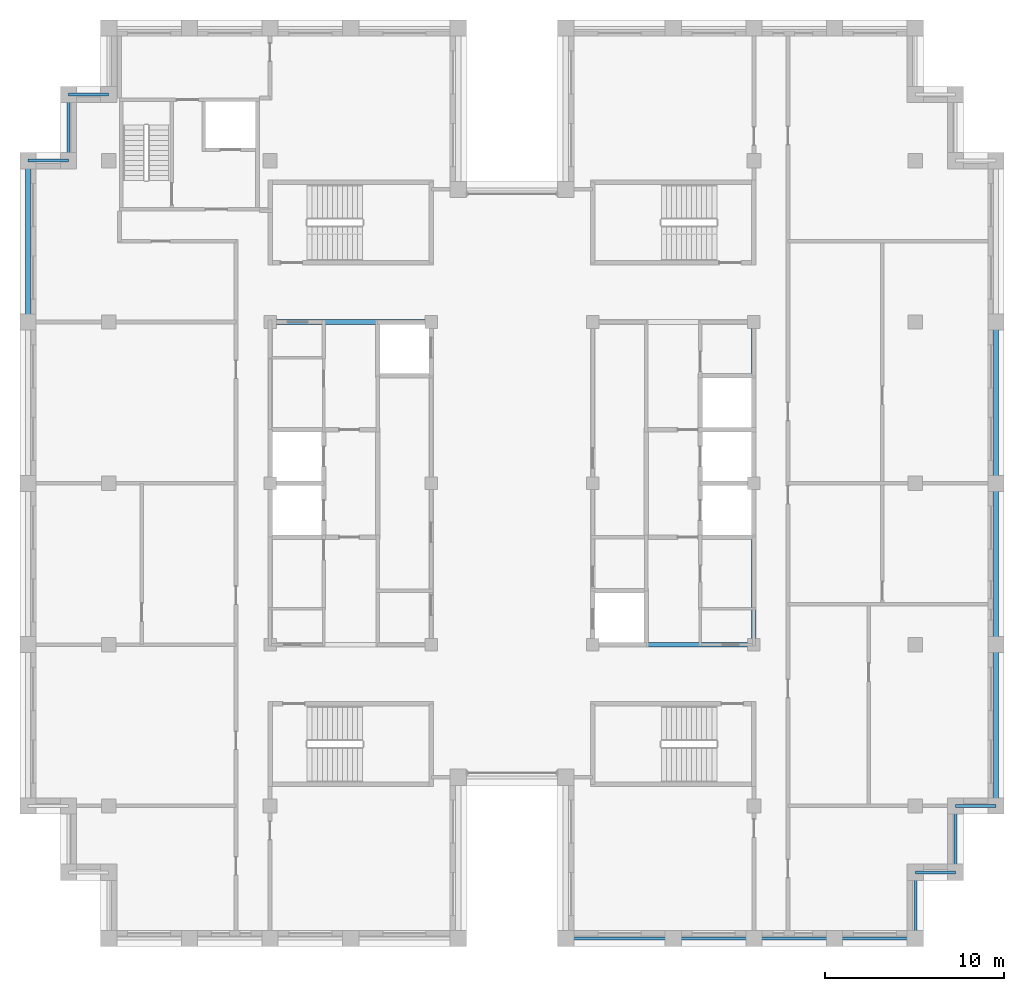
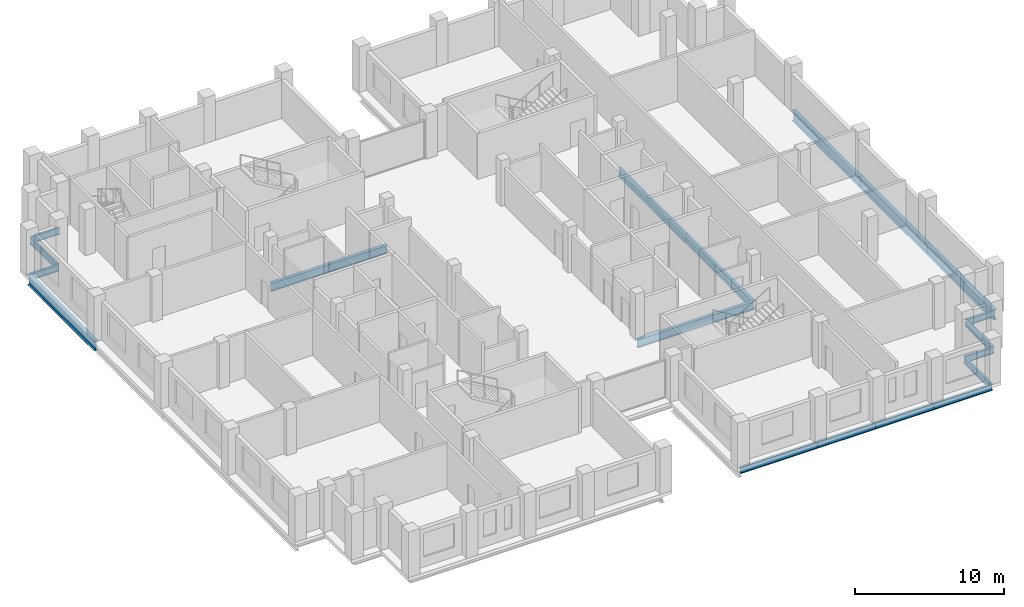
# One storey, part 3 of 13: 19 beams.
"""IFC4 building model written with IfcOpenShell, lengths in metres."""

import ifcopenshell
import ifcopenshell.guid

model = None  # the IFC model being written
_history = None  # IfcOwnerHistory: only IFC2X3 demands one
_inside = {}  # id of a spatial element -> (the spatial element, [elements in it])
_under = {}  # id of a project, library or spatial element -> (it, [spatial elements below it])
_declared = {}  # id of a project -> (the project, [libraries it declares])
_typed = {}  # id of a type object -> (the type object, [elements of that type])
_made_of = {}  # id of a material, layer set ... -> (it, [elements and type objects made of it])


def new_model(schema):
    """Start an empty IFC model of exactly this schema.

    Asked for "IFC4X3", IfcOpenShell would pick the latest addendum, in which some entities
    have other attributes; the version numbers below select the first issue.
    IFC2X3 requires an IfcOwnerHistory on every rooted entity: one is made here for all.
    """
    global model, _history
    if schema == "IFC4X3":
        model = ifcopenshell.file(schema_version=(4, 3, 0, 0))
    else:
        model = ifcopenshell.file(schema=schema)
    _inside.clear()
    _under.clear()
    _declared.clear()
    _typed.clear()
    _made_of.clear()
    _history = None
    if model.schema == "IFC2X3":
        org = make("IfcOrganization", Name="unknown")
        user = make(
            "IfcPersonAndOrganization",
            ThePerson=make("IfcPerson", FamilyName="unknown"),
            TheOrganization=org,
        )
        app = make(
            "IfcApplication",
            ApplicationDeveloper=org,
            Version="unknown",
            ApplicationFullName="unknown",
            ApplicationIdentifier="unknown",
        )
        _history = make(
            "IfcOwnerHistory",
            OwningUser=user,
            OwningApplication=app,
            ChangeAction="ADDED",
            CreationDate=0,
        )
    return model


def make(cls, **values):
    """One entity of the class cls with the attributes given. An attribute that is None is left unset."""
    return model.create_entity(
        cls, **{name: value for name, value in values.items() if value is not None}
    )


def rooted(cls, **values):
    """An entity with a GlobalId (a new one), such as an element, a storey or a relation."""
    return make(cls, GlobalId=ifcopenshell.guid.new(), OwnerHistory=_history, **values)


def si_unit(unit_type, name, prefix=None):
    """IfcSIUnit, for example si_unit("LENGTHUNIT", "METRE", prefix="MILLI")."""
    return make("IfcSIUnit", UnitType=unit_type, Prefix=prefix, Name=name)


def assignment(units):
    """IfcUnitAssignment: the units of a project."""
    return None if units is None else make("IfcUnitAssignment", Units=units)


def point(xyz):
    """IfcCartesianPoint."""
    return None if xyz is None else make("IfcCartesianPoint", Coordinates=xyz)


def direction(xyz):
    """IfcDirection."""
    return None if xyz is None else make("IfcDirection", DirectionRatios=xyz)


def frame(location, z_axis=None, x_axis=None):
    """IfcAxis2Placement3D, a coordinate frame: its origin and axes. An axis left out is left unset."""
    return make(
        "IfcAxis2Placement3D",
        Location=point(location),
        Axis=direction(z_axis),
        RefDirection=direction(x_axis),
    )


def frame_2d(location, x_axis=None):
    """IfcAxis2Placement2D, a coordinate frame in the plane: its origin and x axis."""
    return make(
        "IfcAxis2Placement2D", Location=point(location), RefDirection=direction(x_axis)
    )


def origin():
    """The frame at (0, 0, 0) with its axes left unset."""
    return frame((0.0, 0.0, 0.0))


def origin_2d():
    """The frame at (0, 0) in the plane with its x axis left unset."""
    return frame_2d((0.0, 0.0))


def place(relative_to, where):
    """IfcLocalPlacement: puts the frame where relative to a parent placement (None: the world)."""
    return make(
        "IfcLocalPlacement", PlacementRelTo=relative_to, RelativePlacement=where
    )


def context(
    kind, dimensions, precision=None, world=None, true_north=None, identifier=None
):
    """IfcGeometricRepresentationContext, for example the 3D "Model" context."""
    return make(
        "IfcGeometricRepresentationContext",
        ContextIdentifier=identifier,
        ContextType=kind,
        CoordinateSpaceDimension=dimensions,
        Precision=precision,
        WorldCoordinateSystem=world,
        TrueNorth=true_north,
    )


def subcontext(parent, identifier, kind, view, scale=None):
    """IfcGeometricRepresentationSubContext, for example "Body" below "Model"."""
    return make(
        "IfcGeometricRepresentationSubContext",
        ContextIdentifier=identifier,
        ContextType=kind,
        ParentContext=parent,
        TargetScale=scale,
        TargetView=view,
    )


def project(units=None, contexts=None):
    """IfcProject with its units and contexts."""
    return rooted(
        "IfcProject",
        Name="project",
        RepresentationContexts=contexts,
        UnitsInContext=assignment(units),
    )


def spatial(cls, under=None, at=None, **own):
    """A site, building, storey or space (cls), placed at a placement, below another one or the project."""
    s = rooted(cls, ObjectPlacement=at, **own)
    if under is not None:
        _under.setdefault(under.id(), (under, []))[1].append(s)
    return s


def profile(cls, at=None, kind="AREA", **sizes):
    """A parametric profile (cls). Its sizes go by their IFC names, for example OverallWidth=200.0."""
    return make(cls, ProfileType=kind, Position=at, **sizes)


def i_section(**sizes):
    """IfcIShapeProfileDef."""
    return profile("IfcIShapeProfileDef", **sizes)


def extrude(swept, where, along, depth):
    """IfcExtrudedAreaSolid: the profile swept, set in the frame where, extruded along a direction by depth."""
    return make(
        "IfcExtrudedAreaSolid",
        SweptArea=swept,
        Position=where,
        ExtrudedDirection=direction(along),
        Depth=depth,
    )


def shape(context_of_items, identifier, shape_type, items):
    """IfcShapeRepresentation: the items that make up one representation, for example the "Body"."""
    return make(
        "IfcShapeRepresentation",
        ContextOfItems=context_of_items,
        RepresentationIdentifier=identifier,
        RepresentationType=shape_type,
        Items=items,
    )


def material(Name=None, Category=None):
    """IfcMaterial."""
    return make("IfcMaterial", Name=Name, Category=Category)


def material_profile(
    of_material, cross_section, Name=None, Category=None, Priority=None
):
    """IfcMaterialProfile: a cross section and its material."""
    return make(
        "IfcMaterialProfile",
        Name=Name,
        Material=of_material,
        Profile=cross_section,
        Priority=Priority,
        Category=Category,
    )


def profile_set(profiles, Name=None, composite=None):
    """IfcMaterialProfileSet."""
    return make(
        "IfcMaterialProfileSet",
        Name=Name,
        MaterialProfiles=profiles,
        CompositeProfile=composite,
    )


def made_of(thing, what):
    """Note that an element or type object is made of a material, layer set ...; save() writes the relation."""
    if what is not None:
        _made_of.setdefault(what.id(), (what, []))[1].append(thing)
    return thing


def type_object(cls, material=None, **own):
    """A type object (cls), such as IfcWallType, which elements share."""
    return made_of(rooted(cls, **own), material)


def element(
    cls,
    number,
    at=None,
    inside=None,
    cuts=None,
    type_object=None,
    material=None,
    context=None,
    identifier="Body",
    shape_type=None,
    held_by="IfcProductDefinitionShape",
    body=None,
    shapes=None,
    **own,
):
    """One element of the class cls, such as IfcWall. Its Tag is "e" and its number.

    at: its placement. inside: the storey or other place that contains it. cuts: it is an
    opening in that element (IfcRelVoidsElement). A single representation is given by context,
    identifier, shape_type and body (its items); several are given by shapes. held_by: the class
    of the entity that holds the representations. save() writes the other relations.
    """
    e = rooted(cls, Tag="e%d" % number, ObjectPlacement=at, **own)
    if body is not None:
        shapes = [shape(context, identifier, shape_type, body)]
    if shapes is not None:
        e.Representation = make(held_by, Representations=shapes)
    if inside is not None:
        _inside.setdefault(inside.id(), (inside, []))[1].append(e)
    if cuts is not None:
        rooted(
            "IfcRelVoidsElement", RelatingBuildingElement=cuts, RelatedOpeningElement=e
        )
    if type_object is not None:
        _typed.setdefault(type_object.id(), (type_object, []))[1].append(e)
    return made_of(e, material)


def aggregate(whole, parts):
    """IfcRelAggregates: a whole, such as a stair, and the parts it consists of."""
    return rooted("IfcRelAggregates", RelatingObject=whole, RelatedObjects=parts)


def save(model, path):
    """Write the relations noted so far, then the file.

    IfcRelAggregates (storeys below a building ...), IfcRelContainedInSpatialStructure (elements
    in a storey), IfcRelDefinesByType, IfcRelAssociatesMaterial and IfcRelDeclares: one each for
    every whole, place, type object, material and project.
    """
    for whole, parts in _under.values():
        aggregate(whole, parts)
    for where, things in _inside.values():
        rooted(
            "IfcRelContainedInSpatialStructure",
            RelatedElements=things,
            RelatingStructure=where,
        )
    for kind, things in _typed.values():
        rooted("IfcRelDefinesByType", RelatedObjects=things, RelatingType=kind)
    for what, things in _made_of.values():
        rooted("IfcRelAssociatesMaterial", RelatedObjects=things, RelatingMaterial=what)
    for by, libraries in _declared.values():
        rooted("IfcRelDeclares", RelatingContext=by, RelatedDefinitions=libraries)
    model.write(path)


model = new_model("IFC4")

# Units and contexts
model_context = context("Model", 3, precision=1e-05, world=origin(), true_north=direction((0.0, 1.0)))
body_context = subcontext(model_context, "Body", "Model", "MODEL_VIEW")
ifc_project = project(units=[si_unit("LENGTHUNIT", "METRE"), si_unit("AREAUNIT", "SQUARE_METRE"), si_unit("VOLUMEUNIT", "CUBIC_METRE"), si_unit("PLANEANGLEUNIT", "RADIAN"), si_unit("MASSUNIT", "GRAM", prefix="KILO")], contexts=[model_context])

# Site, building, storey
site_placement = place(None, origin())
site = spatial("IfcSite", under=ifc_project, at=site_placement, CompositionType="ELEMENT")
building_placement = place(site_placement, origin())
building = spatial("IfcBuilding", under=site, at=building_placement, Name="Corbelhall Arena Tower", CompositionType="ELEMENT")
storey_placement = place(building_placement, frame((0.0, 0.0, 334.0)))
storey = spatial("IfcBuildingStorey", under=building, at=storey_placement, Name="L73", CompositionType="ELEMENT", Elevation=334.0)

# Beams
ifc_material = material(Name="Steel ASTM A992 Gr50", Category="steel")
ifc_material_profile_1 = material_profile(ifc_material, i_section(OverallWidth=0.25390625, OverallDepth=0.67822265625, WebThickness=0.01171875, FlangeThickness=0.016357421875, at=origin_2d()))
ifc_profile_set_1 = profile_set([ifc_material_profile_1], Name="Steel ASTM A992 Gr50")
beam_type_1 = type_object("IfcBeamType", Name="ST-BEAM-W27x84", PredefinedType="BEAM", material=ifc_profile_set_1)
for number, where, z_axis, x_axis, name in (
    (1, (-13.5, 9.0, -0.59912109375), (1.0, 0.0, 0.0), (0.0, 1.0, 0.0), "Beam CEW 6"),
    (2, (13.5, -9.0, -0.59912109375), (0.0, 1.0, 0.0), (-1.0, 0.0, 0.0), "Beam CEE 9"),
    (3, (13.5, 0.0, -0.59912109375), (0.0, 1.0, 0.0), (-1.0, 0.0, 0.0), "Beam CEE 10"),
    (4, (4.5, -9.0, -0.59912109375), (1.0, 0.0, 0.0), (0.0, 1.0, 0.0), "Beam CEE 11"),
):
    element("IfcBeam", number, at=place(storey_placement, frame(where, z_axis=z_axis, x_axis=x_axis)), inside=storey, type_object=beam_type_1, Name=name, PredefinedType="BEAM", context=body_context, shape_type="SweptSolid", body=[
        extrude(i_section(OverallWidth=0.25390625, OverallDepth=0.67822265625, WebThickness=0.01171875, FlangeThickness=0.016357421875, at=origin_2d()), origin(), (0.0, 0.0, 1.0), 9.0),
    ])
ifc_material_profile_2 = material_profile(ifc_material, i_section(OverallWidth=0.16650390625, OverallDepth=0.535888671875, WebThickness=0.01025390625, FlangeThickness=0.0166015625, at=origin_2d()))
ifc_profile_set_2 = profile_set([ifc_material_profile_2], Name="Steel ASTM A992 Gr50")
beam_type_2 = type_object("IfcBeamType", Name="ST-SPANDREL-W21x57", PredefinedType="SPANDREL", material=ifc_profile_set_2)
beam_1_placement = place(storey_placement, frame((27.0, -18.0, -0.528076171875), z_axis=(-1.0, 0.0, 0.0), x_axis=(0.0, -1.0, 0.0)))
element("IfcBeam", 5, at=beam_1_placement, inside=storey, type_object=beam_type_2, Name="Beam SP 5", PredefinedType="SPANDREL", context=body_context, shape_type="SweptSolid", body=[
    extrude(i_section(OverallWidth=0.16650390625, OverallDepth=0.535888671875, WebThickness=0.01025390625, FlangeThickness=0.0166015625, at=origin_2d()), origin(), (0.0, 0.0, 1.0), 2.25),
])
beam_2_placement = place(storey_placement, frame((9.0, -25.39990234375, -0.528076171875), z_axis=(-1.0, 0.0, 0.0), x_axis=(0.0, -1.0, 0.0)))
element("IfcBeam", 6, at=beam_2_placement, inside=storey, type_object=beam_type_2, Name="Beam SP 17", PredefinedType="SPANDREL", context=body_context, shape_type="SweptSolid", body=[
    extrude(i_section(OverallWidth=0.16650390625, OverallDepth=0.535888671875, WebThickness=0.01025390625, FlangeThickness=0.0166015625, at=origin_2d()), origin(), (0.0, 0.0, 1.0), 6.0),
])
for number, where, z_axis, x_axis, name in (
    (7, (13.5, -25.39990234375, -0.528076171875), (-1.0, 0.0, 0.0), (0.0, -1.0, 0.0), "Beam SP 18"),
    (8, (18.0, -25.39990234375, -0.528076171875), (-1.0, 0.0, 0.0), (0.0, -1.0, 0.0), "Beam SP 19"),
    (9, (22.5, -25.39990234375, -0.528076171875), (-1.0, 0.0, 0.0), (0.0, -1.0, 0.0), "Beam SP 20"),
):
    element("IfcBeam", number, at=place(storey_placement, frame(where, z_axis=z_axis, x_axis=x_axis)), inside=storey, type_object=beam_type_2, Name=name, PredefinedType="SPANDREL", context=body_context, shape_type="SweptSolid", body=[
        extrude(i_section(OverallWidth=0.16650390625, OverallDepth=0.535888671875, WebThickness=0.01025390625, FlangeThickness=0.0166015625, at=origin_2d()), origin(), (0.0, 0.0, 1.0), 4.5),
    ])
for number, where, z_axis, x_axis, name in (
    (10, (-27.0, 18.0, -0.528076171875), (1.0, 0.0, 0.0), (0.0, 1.0, 0.0), "Beam SP 28"),
    (11, (-24.75, 21.699951171875, -0.528076171875), (1.0, 0.0, 0.0), (0.0, 1.0, 0.0), "Beam SP 39"),
):
    element("IfcBeam", number, at=place(storey_placement, frame(where, z_axis=z_axis, x_axis=x_axis)), inside=storey, type_object=beam_type_2, Name=name, PredefinedType="SPANDREL", context=body_context, shape_type="SweptSolid", body=[
        extrude(i_section(OverallWidth=0.16650390625, OverallDepth=0.535888671875, WebThickness=0.01025390625, FlangeThickness=0.0166015625, at=origin_2d()), origin(), (0.0, 0.0, 1.0), 2.25),
    ])
for number, where, z_axis, x_axis, name in (
    (12, (-24.75, 18.0, -0.528076171875), (0.0, 1.0, 0.0), (-1.0, 0.0, 0.0), "Beam SP 40"),
    (13, (22.5, -21.699951171875, -0.528076171875), (0.0, -1.0, 0.0), (1.0, 0.0, 0.0), "Beam SP 41"),
):
    element("IfcBeam", number, at=place(storey_placement, frame(where, z_axis=z_axis, x_axis=x_axis)), inside=storey, type_object=beam_type_2, Name=name, PredefinedType="SPANDREL", context=body_context, shape_type="SweptSolid", body=[
        extrude(i_section(OverallWidth=0.16650390625, OverallDepth=0.535888671875, WebThickness=0.01025390625, FlangeThickness=0.0166015625, at=origin_2d()), origin(), (0.0, 0.0, 1.0), 3.699951171875),
    ])
beam_3_placement = place(storey_placement, frame((24.75, -21.699951171875, -0.528076171875), z_axis=(-1.0, 0.0, 0.0), x_axis=(0.0, -1.0, 0.0)))
element("IfcBeam", 14, at=beam_3_placement, inside=storey, type_object=beam_type_2, Name="Beam SP 42", PredefinedType="SPANDREL", context=body_context, shape_type="SweptSolid", body=[
    extrude(i_section(OverallWidth=0.16650390625, OverallDepth=0.535888671875, WebThickness=0.01025390625, FlangeThickness=0.0166015625, at=origin_2d()), origin(), (0.0, 0.0, 1.0), 2.25),
])
beam_4_placement = place(storey_placement, frame((24.75, -18.0, -0.528076171875), z_axis=(0.0, -1.0, 0.0), x_axis=(1.0, 0.0, 0.0)))
element("IfcBeam", 15, at=beam_4_placement, inside=storey, type_object=beam_type_2, Name="Beam SP 43", PredefinedType="SPANDREL", context=body_context, shape_type="SweptSolid", body=[
    extrude(i_section(OverallWidth=0.16650390625, OverallDepth=0.535888671875, WebThickness=0.01025390625, FlangeThickness=0.0166015625, at=origin_2d()), origin(), (0.0, 0.0, 1.0), 3.699951171875),
])
ifc_material_profile_3 = material_profile(ifc_material, i_section(OverallWidth=0.2919921875, OverallDepth=0.845703125, WebThickness=0.015380859375, FlangeThickness=0.0244140625, at=origin_2d()))
ifc_profile_set_3 = profile_set([ifc_material_profile_3], Name="Steel ASTM A992 Gr50")
beam_type_3 = type_object("IfcBeamType", Name="ST-SPANDREL-W33x141", PredefinedType="SPANDREL", material=ifc_profile_set_3)
for number, where, z_axis, x_axis, name in (
    (16, (27.0, 0.0, -0.682861328125), (0.0, -1.0, 0.0), (1.0, 0.0, 0.0), "Beam SP 1"),
    (17, (27.0, 9.0, -0.682861328125), (0.0, -1.0, 0.0), (1.0, 0.0, 0.0), "Beam SP 2"),
    (18, (27.0, -9.0, -0.682861328125), (0.0, -1.0, 0.0), (1.0, 0.0, 0.0), "Beam SP 4"),
    (19, (-27.0, 9.0, -0.682861328125), (0.0, 1.0, 0.0), (-1.0, 0.0, 0.0), "Beam SP 27"),
):
    element("IfcBeam", number, at=place(storey_placement, frame(where, z_axis=z_axis, x_axis=x_axis)), inside=storey, type_object=beam_type_3, Name=name, PredefinedType="SPANDREL", context=body_context, shape_type="SweptSolid", body=[
        extrude(i_section(OverallWidth=0.2919921875, OverallDepth=0.845703125, WebThickness=0.015380859375, FlangeThickness=0.0244140625, at=origin_2d()), origin(), (0.0, 0.0, 1.0), 9.0),
    ])

save(model, "model.ifc")
